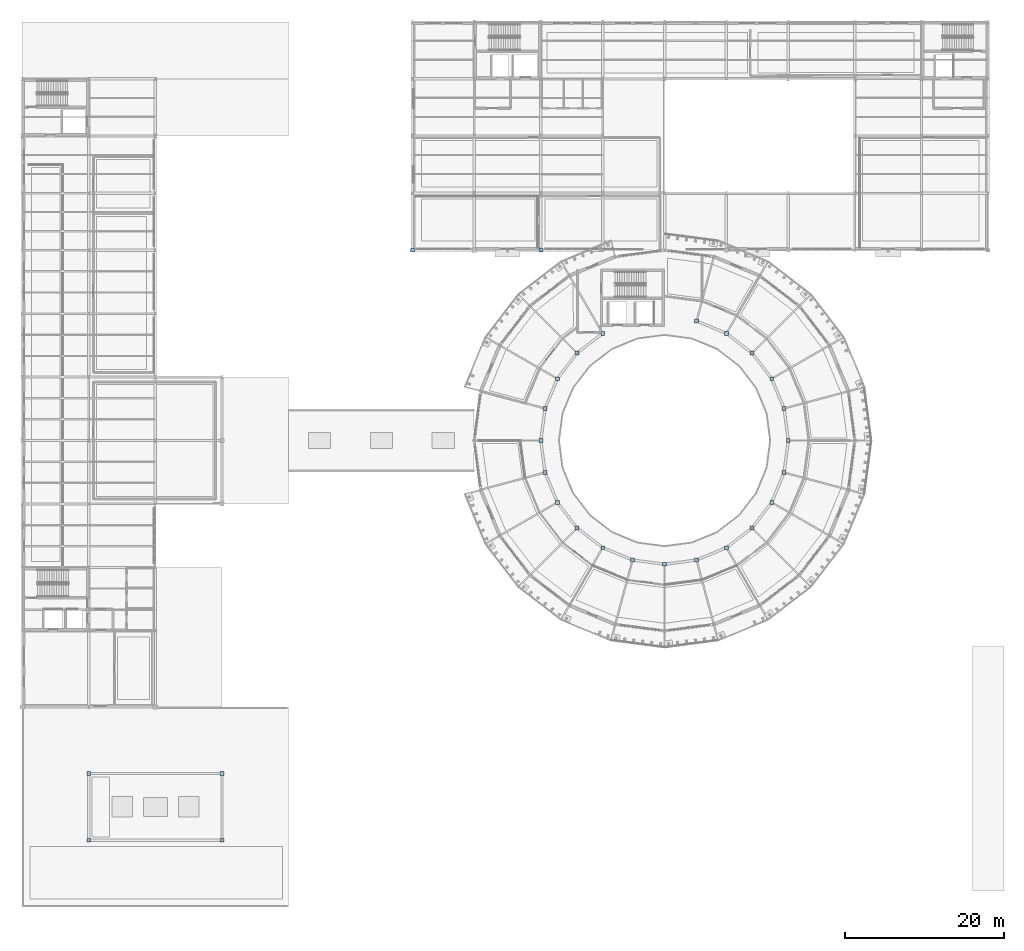
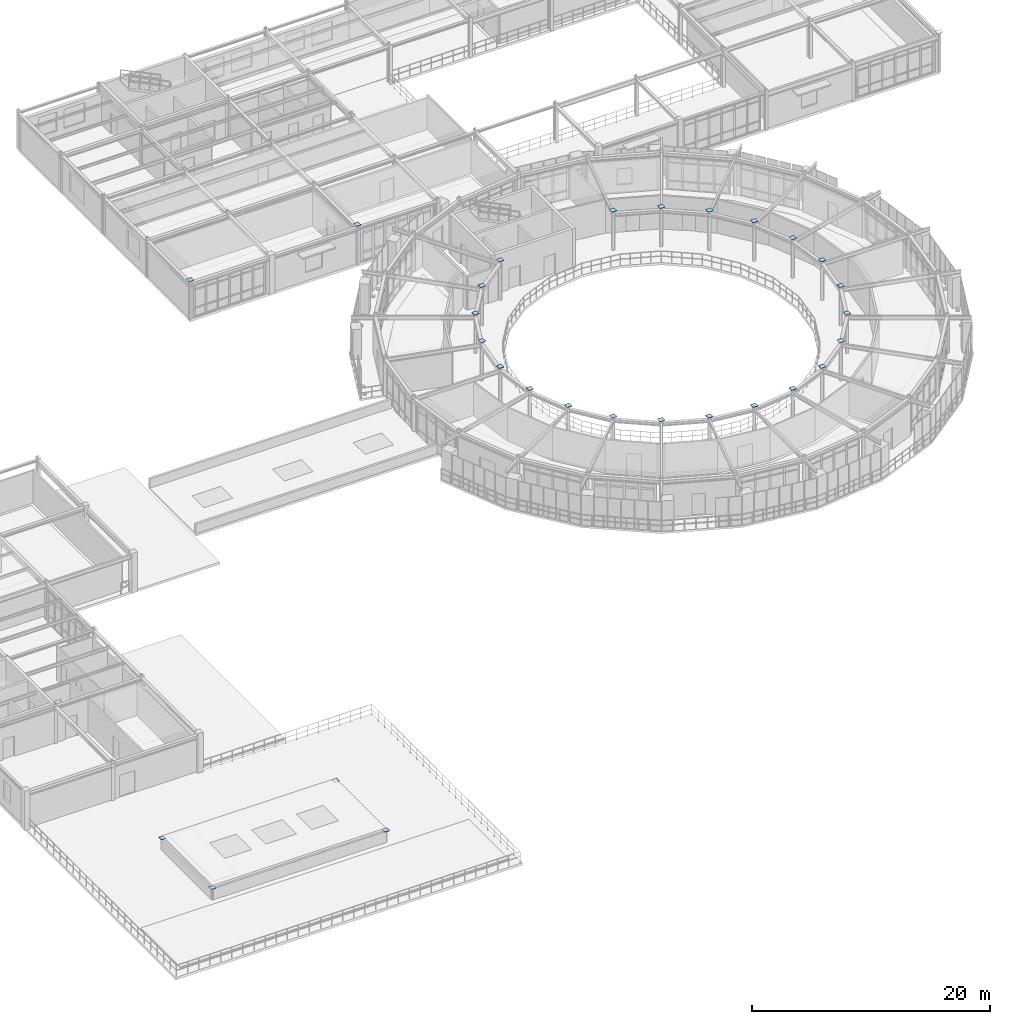
# One storey, part 50 of 70: 28 plates.
"""IFC4 building model written with IfcOpenShell, lengths in metres."""

from ifc_helpers import new_model, si_unit, derived_unit, direction, frame, origin, origin_2d, place, context, subcontext, project, spatial, rectangle, extrude, material, layer, layer_set, type_object, element, save


model = new_model("IFC4")

# Units and contexts
model_context = context("Model", 3, precision=1e-05, world=origin(), true_north=direction((0.0, 1.0)))
body_context = subcontext(model_context, "Body", "Model", "MODEL_VIEW")
ifc_project = project(units=[si_unit("LENGTHUNIT", "METRE"), si_unit("AREAUNIT", "SQUARE_METRE"), si_unit("VOLUMEUNIT", "CUBIC_METRE"), si_unit("PLANEANGLEUNIT", "RADIAN"), si_unit("MASSUNIT", "GRAM", prefix="KILO"), derived_unit("THERMALTRANSMITTANCEUNIT", [(si_unit("POWERUNIT", "WATT"), 1), (si_unit("AREAUNIT", "SQUARE_METRE"), -1), (si_unit("THERMODYNAMICTEMPERATUREUNIT", "KELVIN"), -1)])], contexts=[model_context])

# Site, building, storey
site_placement = place(None, origin())
site = spatial("IfcSite", under=ifc_project, at=site_placement, CompositionType="ELEMENT")
building_placement = place(site_placement, origin())
building = spatial("IfcBuilding", under=site, at=building_placement, Name="Yasenodar Specialist Clinic", CompositionType="ELEMENT")
storey_placement = place(building_placement, frame((0.0, 0.0, 13.199951171875)))
storey = spatial("IfcBuildingStorey", under=building, at=storey_placement, Name="L03", CompositionType="ELEMENT", Elevation=13.199951171875)

# Plates
ifc_material = material(Name="Steel S355", Category="steel")
ifc_layer = layer(ifc_material, 0.028076171875)
ifc_layer_set = layer_set([ifc_layer], Name="Steel S355")
plate_type = type_object("IfcPlateType", Name="PL-STEEL-06", PredefinedType="USERDEFINED", material=ifc_layer_set)
for number, where, z_axis, x_axis, name in (
    (1, (49.199951171875, 82.800048828125, 4.0498046875), (0.0, 0.0, 1.0), (1.0, 0.0, 0.0), "L03 Hollow Column Top Cap Plate 011"),
    (2, (65.39990234375, 82.800048828125, 4.0498046875), (0.0, 0.0, 1.0), (1.0, 0.0, 0.0), "L03 Hollow Column Top Cap Plate 012"),
    (3, (96.60009765625, 58.800048828125, 4.0498046875), (0.0, 0.0, 1.0), (1.0, 0.0, 0.0), "L03 Hollow Column Top Cap Plate 027"),
    (4, (96.068359375, 62.837646484375, 4.0498046875), (0.0, 0.0, 1.0), (1.0, 0.0, 0.0), "L03 Hollow Column Top Cap Plate 029"),
    (5, (94.510009765625, 66.60009765625, 4.0498046875), (0.0, 0.0, 1.0), (1.0, 0.0, 0.0), "L03 Hollow Column Top Cap Plate 031"),
    (6, (92.031005859375, 69.830810546875, 4.0498046875), (0.0, 0.0, 1.0), (1.0, 0.0, 0.0), "L03 Hollow Column Top Cap Plate 033"),
    (7, (88.800048828125, 72.31005859375, 4.0498046875), (0.0, 0.0, 1.0), (1.0, 0.0, 0.0), "L03 Hollow Column Top Cap Plate 035"),
    (8, (85.03759765625, 73.868408203125, 4.0498046875), (0.0, 0.0, 1.0), (1.0, 0.0, 0.0), "L03 Hollow Column Top Cap Plate 037"),
    (9, (73.199951171875, 72.31005859375, 4.0498046875), (0.0, 0.0, 1.0), (1.0, 0.0, 0.0), "L03 Hollow Column Top Cap Plate 041"),
    (10, (69.968994140625, 69.830810546875, 4.0498046875), (0.0, 0.0, 1.0), (1.0, 0.0, 0.0), "L03 Hollow Column Top Cap Plate 043"),
    (11, (67.489990234375, 66.60009765625, 4.0498046875), (0.0, 0.0, 1.0), (1.0, 0.0, 0.0), "L03 Hollow Column Top Cap Plate 045"),
    (12, (65.931640625, 62.837646484375, 4.0498046875), (0.0, 0.0, 1.0), (1.0, 0.0, 0.0), "L03 Hollow Column Top Cap Plate 047"),
    (13, (65.39990234375, 58.800048828125, 4.0498046875), (0.0, 0.0, 1.0), (1.0, 0.0, 0.0), "L03 Hollow Column Top Cap Plate 049"),
    (14, (65.931640625, 54.762451171875, 4.0498046875), (0.0, 0.0, 1.0), (1.0, 0.0, 0.0), "L03 Hollow Column Top Cap Plate 051"),
    (15, (67.489990234375, 51.0, 4.0498046875), (0.0, 0.0, 1.0), (1.0, 0.0, 0.0), "L03 Hollow Column Top Cap Plate 053"),
    (16, (69.968994140625, 47.76904296875, 4.0498046875), (0.0, 0.0, 1.0), (1.0, 0.0, 0.0), "L03 Hollow Column Top Cap Plate 055"),
    (17, (73.199951171875, 45.2900390625, 4.0498046875), (0.0, 0.0, 1.0), (1.0, 0.0, 0.0), "L03 Hollow Column Top Cap Plate 057"),
    (18, (76.96240234375, 43.731689453125, 4.0498046875), (0.0, 0.0, 1.0), (1.0, 0.0, 0.0), "L03 Hollow Column Top Cap Plate 059"),
    (19, (81.0, 43.199951171875, 4.0498046875), (0.0, 0.0, 1.0), (1.0, 0.0, 0.0), "L03 Hollow Column Top Cap Plate 061"),
    (20, (85.03759765625, 43.731689453125, 4.0498046875), (0.0, 0.0, 1.0), (1.0, 0.0, 0.0), "L03 Hollow Column Top Cap Plate 063"),
    (21, (88.800048828125, 45.2900390625, 4.0498046875), (0.0, 0.0, 1.0), (1.0, 0.0, 0.0), "L03 Hollow Column Top Cap Plate 065"),
    (22, (92.031005859375, 47.76904296875, 4.0498046875), (0.0, 0.0, 1.0), (1.0, 0.0, 0.0), "L03 Hollow Column Top Cap Plate 067"),
    (23, (94.510009765625, 51.0, 4.0498046875), (0.0, 0.0, 1.0), (1.0, 0.0, 0.0), "L03 Hollow Column Top Cap Plate 069"),
    (24, (96.068359375, 54.762451171875, 4.0498046875), (0.0, 0.0, 1.0), (1.0, 0.0, 0.0), "L03 Hollow Column Top Cap Plate 071"),
    (25, (8.39990234375, 8.39990234375, 1.1748046875), (0.0, 0.0, 1.0), (1.0, 0.0, 0.0), "L03 Hollow Column Top Cap Plate 072"),
    (26, (8.39990234375, 16.800048828125, 1.1748046875), (0.0, 0.0, 1.0), (1.0, 0.0, 0.0), "L03 Hollow Column Top Cap Plate 073"),
    (27, (25.199951171875, 16.800048828125, 1.1748046875), (0.0, 0.0, 1.0), (1.0, 0.0, 0.0), "L03 Hollow Column Top Cap Plate 074"),
    (28, (25.199951171875, 8.39990234375, 1.1748046875), (0.0, 0.0, 1.0), (1.0, 0.0, 0.0), "L03 Hollow Column Top Cap Plate 075"),
):
    element("IfcPlate", number, at=place(storey_placement, frame(where, z_axis=z_axis, x_axis=x_axis)), inside=storey, type_object=plate_type, Name=name, ObjectType="CAP_PLATE", PredefinedType="USERDEFINED", context=body_context, shape_type="SweptSolid", body=[
        extrude(rectangle(XDim=0.47998046875, YDim=0.47998046875, at=origin_2d()), origin(), (0.0, 0.0, 1.0), 0.028076171875),
    ])

save(model, "model.ifc")
